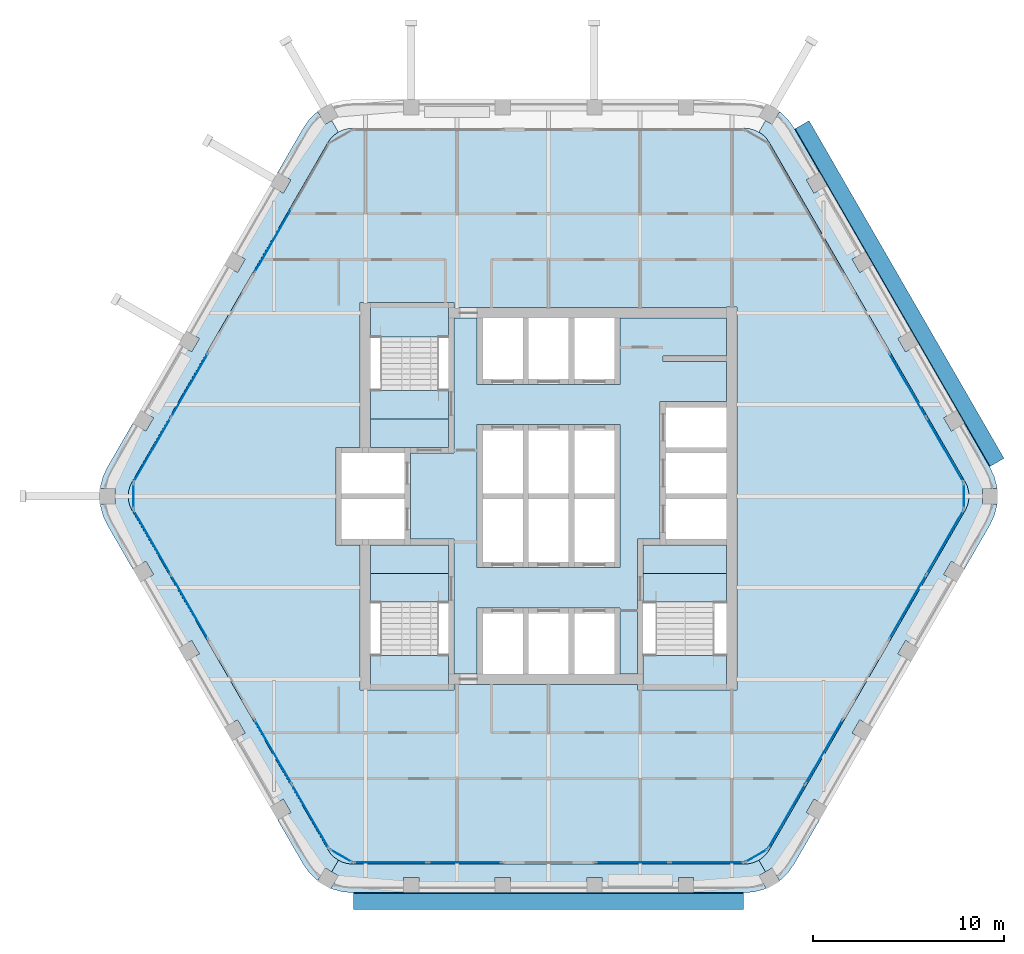
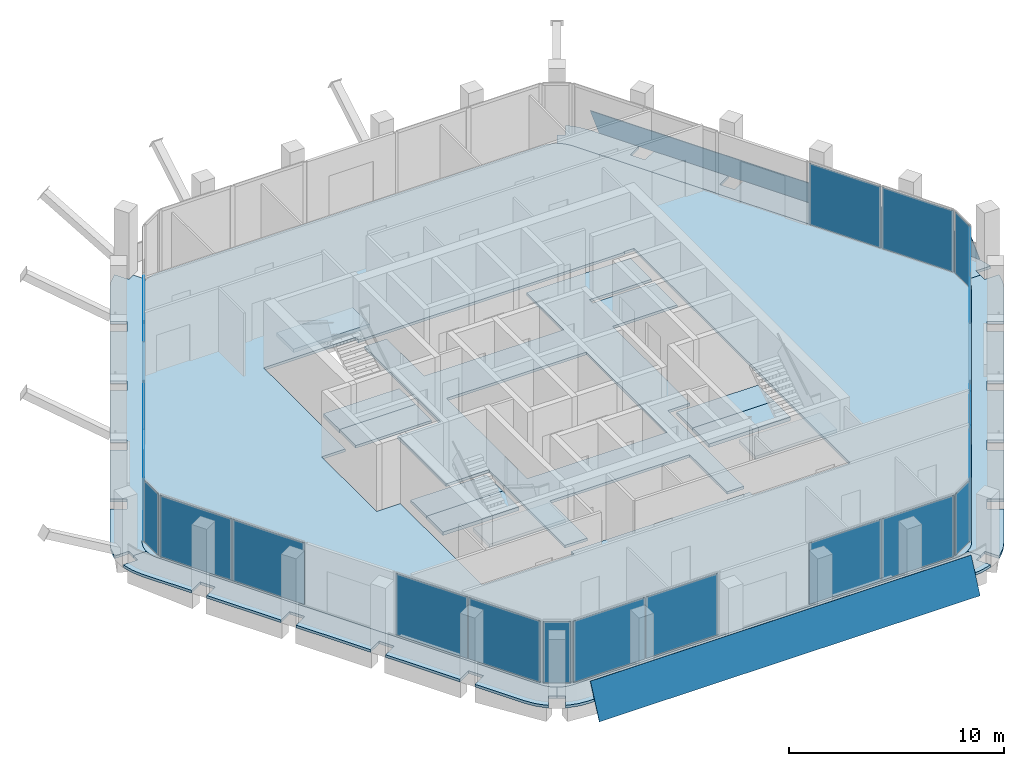
# One storey, part 6 of 14: 23 plates, 16 slabs, 16 elements without a shape of their own.
"""IFC4 building model written with IfcOpenShell, lengths in metres."""

import ifcopenshell
import ifcopenshell.guid

model = None  # the IFC model being written
_history = None  # IfcOwnerHistory: only IFC2X3 demands one
_inside = {}  # id of a spatial element -> (the spatial element, [elements in it])
_under = {}  # id of a project, library or spatial element -> (it, [spatial elements below it])
_declared = {}  # id of a project -> (the project, [libraries it declares])
_typed = {}  # id of a type object -> (the type object, [elements of that type])
_made_of = {}  # id of a material, layer set ... -> (it, [elements and type objects made of it])


def new_model(schema):
    """Start an empty IFC model of exactly this schema.

    Asked for "IFC4X3", IfcOpenShell would pick the latest addendum, in which some entities
    have other attributes; the version numbers below select the first issue.
    IFC2X3 requires an IfcOwnerHistory on every rooted entity: one is made here for all.
    """
    global model, _history
    if schema == "IFC4X3":
        model = ifcopenshell.file(schema_version=(4, 3, 0, 0))
    else:
        model = ifcopenshell.file(schema=schema)
    _inside.clear()
    _under.clear()
    _declared.clear()
    _typed.clear()
    _made_of.clear()
    _history = None
    if model.schema == "IFC2X3":
        org = make("IfcOrganization", Name="unknown")
        user = make(
            "IfcPersonAndOrganization",
            ThePerson=make("IfcPerson", FamilyName="unknown"),
            TheOrganization=org,
        )
        app = make(
            "IfcApplication",
            ApplicationDeveloper=org,
            Version="unknown",
            ApplicationFullName="unknown",
            ApplicationIdentifier="unknown",
        )
        _history = make(
            "IfcOwnerHistory",
            OwningUser=user,
            OwningApplication=app,
            ChangeAction="ADDED",
            CreationDate=0,
        )
    return model


def make(cls, **values):
    """One entity of the class cls with the attributes given. An attribute that is None is left unset."""
    return model.create_entity(
        cls, **{name: value for name, value in values.items() if value is not None}
    )


def rooted(cls, **values):
    """An entity with a GlobalId (a new one), such as an element, a storey or a relation."""
    return make(cls, GlobalId=ifcopenshell.guid.new(), OwnerHistory=_history, **values)


def si_unit(unit_type, name, prefix=None):
    """IfcSIUnit, for example si_unit("LENGTHUNIT", "METRE", prefix="MILLI")."""
    return make("IfcSIUnit", UnitType=unit_type, Prefix=prefix, Name=name)


def assignment(units):
    """IfcUnitAssignment: the units of a project."""
    return None if units is None else make("IfcUnitAssignment", Units=units)


def point(xyz):
    """IfcCartesianPoint."""
    return None if xyz is None else make("IfcCartesianPoint", Coordinates=xyz)


def direction(xyz):
    """IfcDirection."""
    return None if xyz is None else make("IfcDirection", DirectionRatios=xyz)


def frame(location, z_axis=None, x_axis=None):
    """IfcAxis2Placement3D, a coordinate frame: its origin and axes. An axis left out is left unset."""
    return make(
        "IfcAxis2Placement3D",
        Location=point(location),
        Axis=direction(z_axis),
        RefDirection=direction(x_axis),
    )


def frame_2d(location, x_axis=None):
    """IfcAxis2Placement2D, a coordinate frame in the plane: its origin and x axis."""
    return make(
        "IfcAxis2Placement2D", Location=point(location), RefDirection=direction(x_axis)
    )


def origin():
    """The frame at (0, 0, 0) with its axes left unset."""
    return frame((0.0, 0.0, 0.0))


def origin_2d():
    """The frame at (0, 0) in the plane with its x axis left unset."""
    return frame_2d((0.0, 0.0))


def place(relative_to, where):
    """IfcLocalPlacement: puts the frame where relative to a parent placement (None: the world)."""
    return make(
        "IfcLocalPlacement", PlacementRelTo=relative_to, RelativePlacement=where
    )


def context(
    kind, dimensions, precision=None, world=None, true_north=None, identifier=None
):
    """IfcGeometricRepresentationContext, for example the 3D "Model" context."""
    return make(
        "IfcGeometricRepresentationContext",
        ContextIdentifier=identifier,
        ContextType=kind,
        CoordinateSpaceDimension=dimensions,
        Precision=precision,
        WorldCoordinateSystem=world,
        TrueNorth=true_north,
    )


def subcontext(parent, identifier, kind, view, scale=None):
    """IfcGeometricRepresentationSubContext, for example "Body" below "Model"."""
    return make(
        "IfcGeometricRepresentationSubContext",
        ContextIdentifier=identifier,
        ContextType=kind,
        ParentContext=parent,
        TargetScale=scale,
        TargetView=view,
    )


def project(units=None, contexts=None):
    """IfcProject with its units and contexts."""
    return rooted(
        "IfcProject",
        Name="project",
        RepresentationContexts=contexts,
        UnitsInContext=assignment(units),
    )


def spatial(cls, under=None, at=None, **own):
    """A site, building, storey or space (cls), placed at a placement, below another one or the project."""
    s = rooted(cls, ObjectPlacement=at, **own)
    if under is not None:
        _under.setdefault(under.id(), (under, []))[1].append(s)
    return s


def polyline(points):
    """IfcPolyline through the points."""
    return make("IfcPolyline", Points=[point(p) for p in points])


def profile(cls, at=None, kind="AREA", **sizes):
    """A parametric profile (cls). Its sizes go by their IFC names, for example OverallWidth=200.0."""
    return make(cls, ProfileType=kind, Position=at, **sizes)


def rectangle(**sizes):
    """IfcRectangleProfileDef."""
    return profile("IfcRectangleProfileDef", **sizes)


def outline(outer, holes=None, kind="AREA"):
    """IfcArbitraryClosedProfileDef: a profile drawn as a closed curve; with holes, ...WithVoids."""
    if holes is None:
        return make("IfcArbitraryClosedProfileDef", ProfileType=kind, OuterCurve=outer)
    return make(
        "IfcArbitraryProfileDefWithVoids",
        ProfileType=kind,
        OuterCurve=outer,
        InnerCurves=holes,
    )


def extrude(swept, where, along, depth):
    """IfcExtrudedAreaSolid: the profile swept, set in the frame where, extruded along a direction by depth."""
    return make(
        "IfcExtrudedAreaSolid",
        SweptArea=swept,
        Position=where,
        ExtrudedDirection=direction(along),
        Depth=depth,
    )


def shape(context_of_items, identifier, shape_type, items):
    """IfcShapeRepresentation: the items that make up one representation, for example the "Body"."""
    return make(
        "IfcShapeRepresentation",
        ContextOfItems=context_of_items,
        RepresentationIdentifier=identifier,
        RepresentationType=shape_type,
        Items=items,
    )


def material(Name=None, Category=None):
    """IfcMaterial."""
    return make("IfcMaterial", Name=Name, Category=Category)


def layer(
    of_material, thickness, ventilated=None, Name=None, Category=None, Priority=None
):
    """IfcMaterialLayer: one layer of a wall or slab, of a material (None: an air gap)."""
    return make(
        "IfcMaterialLayer",
        Material=of_material,
        LayerThickness=thickness,
        IsVentilated=ventilated,
        Name=Name,
        Category=Category,
        Priority=Priority,
    )


def layer_set(layers, Name=None):
    """IfcMaterialLayerSet."""
    return make("IfcMaterialLayerSet", MaterialLayers=layers, LayerSetName=Name)


def made_of(thing, what):
    """Note that an element or type object is made of a material, layer set ...; save() writes the relation."""
    if what is not None:
        _made_of.setdefault(what.id(), (what, []))[1].append(thing)
    return thing


def type_object(cls, material=None, **own):
    """A type object (cls), such as IfcWallType, which elements share."""
    return made_of(rooted(cls, **own), material)


def element(
    cls,
    number,
    at=None,
    inside=None,
    cuts=None,
    type_object=None,
    material=None,
    context=None,
    identifier="Body",
    shape_type=None,
    held_by="IfcProductDefinitionShape",
    body=None,
    shapes=None,
    **own,
):
    """One element of the class cls, such as IfcWall. Its Tag is "e" and its number.

    at: its placement. inside: the storey or other place that contains it. cuts: it is an
    opening in that element (IfcRelVoidsElement). A single representation is given by context,
    identifier, shape_type and body (its items); several are given by shapes. held_by: the class
    of the entity that holds the representations. save() writes the other relations.
    """
    e = rooted(cls, Tag="e%d" % number, ObjectPlacement=at, **own)
    if body is not None:
        shapes = [shape(context, identifier, shape_type, body)]
    if shapes is not None:
        e.Representation = make(held_by, Representations=shapes)
    if inside is not None:
        _inside.setdefault(inside.id(), (inside, []))[1].append(e)
    if cuts is not None:
        rooted(
            "IfcRelVoidsElement", RelatingBuildingElement=cuts, RelatedOpeningElement=e
        )
    if type_object is not None:
        _typed.setdefault(type_object.id(), (type_object, []))[1].append(e)
    return made_of(e, material)


def aggregate(whole, parts):
    """IfcRelAggregates: a whole, such as a stair, and the parts it consists of."""
    return rooted("IfcRelAggregates", RelatingObject=whole, RelatedObjects=parts)


def save(model, path):
    """Write the relations noted so far, then the file.

    IfcRelAggregates (storeys below a building ...), IfcRelContainedInSpatialStructure (elements
    in a storey), IfcRelDefinesByType, IfcRelAssociatesMaterial and IfcRelDeclares: one each for
    every whole, place, type object, material and project.
    """
    for whole, parts in _under.values():
        aggregate(whole, parts)
    for where, things in _inside.values():
        rooted(
            "IfcRelContainedInSpatialStructure",
            RelatedElements=things,
            RelatingStructure=where,
        )
    for kind, things in _typed.values():
        rooted("IfcRelDefinesByType", RelatedObjects=things, RelatingType=kind)
    for what, things in _made_of.values():
        rooted("IfcRelAssociatesMaterial", RelatedObjects=things, RelatingMaterial=what)
    for by, libraries in _declared.values():
        rooted("IfcRelDeclares", RelatingContext=by, RelatedDefinitions=libraries)
    model.write(path)


model = new_model("IFC4")

# Units and contexts
model_context = context("Model", 3, precision=1e-05, world=origin(), true_north=direction((0.0, 1.0)))
body_context = subcontext(model_context, "Body", "Model", "MODEL_VIEW")
ifc_project = project(units=[si_unit("LENGTHUNIT", "METRE"), si_unit("AREAUNIT", "SQUARE_METRE"), si_unit("VOLUMEUNIT", "CUBIC_METRE"), si_unit("PLANEANGLEUNIT", "RADIAN"), si_unit("MASSUNIT", "GRAM", prefix="KILO")], contexts=[model_context])

# Site, building, storey
site_placement = place(None, origin())
site = spatial("IfcSite", under=ifc_project, at=site_placement, CompositionType="ELEMENT")
building_placement = place(site_placement, origin())
building = spatial("IfcBuilding", under=site, at=building_placement, Name="Kolab Exchange Tower", CompositionType="ELEMENT")
storey_placement = place(building_placement, frame((0.0, 0.0, 250.10009765625)))
storey = spatial("IfcBuildingStorey", under=building, at=storey_placement, Name="L55", CompositionType="ELEMENT", Elevation=250.10009765625)

# Slabs
ifc_material_1 = material(Name="Concrete C35/45", Category="concrete")
ifc_layer_1 = layer(ifc_material_1, 0.14990234375)
ifc_layer_set_1 = layer_set([ifc_layer_1], Name="Concrete C35/45")
slab_type_1 = type_object("IfcSlabType", Name="FLOOR SLAB 150", PredefinedType="FLOOR", material=ifc_layer_set_1)
slab_1_placement = place(storey_placement, frame((0.0, 0.0, -0.150146484375)))
element("IfcSlab", 1, at=slab_1_placement, inside=storey, type_object=slab_type_1, Name="slab/L55/floor/0", PredefinedType="FLOOR", context=body_context, shape_type="SweptSolid", body=[
    extrude(outline(polyline([(11.56689453125, -18.53466796875), (21.8349609375, -0.75), (21.945556640625, -0.512939453125), (22.01318359375, -0.260498046875), (22.035888671875, 0.0), (22.01318359375, 0.260498046875), (21.945556640625, 0.512939453125), (21.8349609375, 0.75), (11.56689453125, 18.53466796875), (11.4169921875, 18.748779296875), (11.232177734375, 18.93359375), (11.01806640625, 19.083740234375), (10.781005859375, 19.194091796875), (10.5283203125, 19.26171875), (10.26806640625, 19.28466796875), (-10.26806640625, 19.28466796875), (-10.5283203125, 19.26171875), (-10.781005859375, 19.194091796875), (-11.01806640625, 19.083740234375), (-11.232177734375, 18.93359375), (-11.4169921875, 18.748779296875), (-11.56689453125, 18.53466796875), (-21.8349609375, 0.75), (-21.945556640625, 0.512939453125), (-22.01318359375, 0.260498046875), (-22.035888671875, 0.0), (-22.01318359375, -0.260498046875), (-21.945556640625, -0.512939453125), (-21.8349609375, -0.75), (-11.56689453125, -18.53466796875), (-11.4169921875, -18.748779296875), (-11.232177734375, -18.93359375), (-11.01806640625, -19.083740234375), (-10.781005859375, -19.194091796875), (-10.5283203125, -19.26171875), (-10.26806640625, -19.28466796875), (10.26806640625, -19.28466796875), (10.5283203125, -19.26171875), (10.781005859375, -19.194091796875), (11.01806640625, -19.083740234375), (11.232177734375, -18.93359375), (11.4169921875, -18.748779296875), (11.56689453125, -18.53466796875)]), holes=[polyline([(-9.324951171875, -10.14990234375), (-9.875, -10.14990234375), (-9.875, -2.550048828125), (-10.85009765625, -2.550048828125), (-11.14990234375, -2.550048828125), (-11.14990234375, 2.550048828125), (-10.85009765625, 2.550048828125), (-9.875, 2.550048828125), (-9.875, 10.14990234375), (-9.324951171875, 10.14990234375), (-5.25, 10.14990234375), (-4.949951171875, 10.14990234375), (-4.949951171875, 9.875), (9.324951171875, 9.875), (9.324951171875, 9.925048828125), (9.875, 9.925048828125), (9.875, -10.14990234375), (9.324951171875, -10.14990234375), (4.949951171875, -10.14990234375), (4.64990234375, -10.14990234375), (4.64990234375, -9.875), (-4.949951171875, -9.875), (-4.949951171875, -10.14990234375), (-5.25, -10.14990234375), (-9.324951171875, -10.14990234375)])]), origin(), (0.0, 0.0, 1.0), 0.150146484375),
])
slab_2_placement = place(storey_placement, frame((0.0, 0.0, -0.150146484375)))
element("IfcSlab", 2, at=slab_2_placement, inside=storey, type_object=slab_type_1, Name="slab/L55/floor/1", PredefinedType="FLOOR", context=body_context, shape_type="SweptSolid", body=[
    extrude(outline(polyline([(-4.949951171875, 9.324951171875), (-4.949951171875, 2.25), (-5.25, 2.25), (-7.25, 2.25), (-7.25, -2.25), (-5.25, -2.25), (-4.949951171875, -2.25), (-4.949951171875, -9.324951171875), (-3.75, -9.324951171875), (-3.75, -5.85009765625), (-3.449951171875, -5.85009765625), (-1.35009765625, -5.85009765625), (-1.050048828125, -5.85009765625), (1.050048828125, -5.85009765625), (1.35009765625, -5.85009765625), (3.449951171875, -5.85009765625), (3.75, -5.85009765625), (3.75, -9.324951171875), (4.64990234375, -9.324951171875), (4.64990234375, -2.25), (4.949951171875, -2.25), (5.85009765625, -2.25), (5.85009765625, 4.949951171875), (6.14990234375, 4.949951171875), (9.324951171875, 4.949951171875), (9.324951171875, 7.050048828125), (6.0, 7.050048828125), (6.0, 7.35009765625), (9.324951171875, 7.35009765625), (9.324951171875, 9.324951171875), (3.75, 9.324951171875), (3.75, 5.85009765625), (3.449951171875, 5.85009765625), (1.35009765625, 5.85009765625), (1.050048828125, 5.85009765625), (-1.050048828125, 5.85009765625), (-1.35009765625, 5.85009765625), (-3.449951171875, 5.85009765625), (-3.75, 5.85009765625), (-3.75, 9.324951171875), (-4.949951171875, 9.324951171875)]), holes=[polyline([(-3.449951171875, -3.75), (-3.75, -3.75), (-3.75, 3.75), (-3.449951171875, 3.75), (-1.35009765625, 3.75), (-1.050048828125, 3.75), (1.050048828125, 3.75), (1.35009765625, 3.75), (3.449951171875, 3.75), (3.75, 3.75), (3.75, -3.75), (3.449951171875, -3.75), (1.35009765625, -3.75), (1.050048828125, -3.75), (-1.050048828125, -3.75), (-1.35009765625, -3.75), (-3.449951171875, -3.75)])]), origin(), (0.0, 0.0, 1.0), 0.150146484375),
])
slab_3_placement = place(storey_placement, frame((0.0, 0.0, -0.150146484375)))
element("IfcSlab", 3, at=slab_3_placement, inside=storey, type_object=slab_type_1, Name="slab/L55/floor/2", PredefinedType="FLOOR", context=body_context, shape_type="SweptSolid", body=[
    extrude(outline(polyline([(4.949951171875, -2.550048828125), (4.949951171875, -4.050048828125), (9.324951171875, -4.050048828125), (9.324951171875, -2.550048828125), (6.14990234375, -2.550048828125), (5.85009765625, -2.550048828125), (4.949951171875, -2.550048828125)])), origin(), (0.0, 0.0, 1.0), 0.150146484375),
])
slab_4_placement = place(storey_placement, frame((0.0, 0.0, -0.150146484375)))
element("IfcSlab", 4, at=slab_4_placement, inside=storey, type_object=slab_type_1, Name="slab/L55/floor/3", PredefinedType="FLOOR", context=body_context, shape_type="SweptSolid", body=[
    extrude(outline(polyline([(-7.550048828125, -2.550048828125), (-9.324951171875, -2.550048828125), (-9.324951171875, -4.050048828125), (-5.25, -4.050048828125), (-5.25, -2.550048828125), (-7.25, -2.550048828125), (-7.550048828125, -2.550048828125)])), origin(), (0.0, 0.0, 1.0), 0.150146484375),
])
slab_5_placement = place(storey_placement, frame((0.0, 0.0, -0.150146484375)))
element("IfcSlab", 5, at=slab_5_placement, inside=storey, type_object=slab_type_1, Name="slab/L55/floor/4", PredefinedType="FLOOR", context=body_context, shape_type="SweptSolid", body=[
    extrude(outline(polyline([(-9.324951171875, 4.050048828125), (-9.324951171875, 2.550048828125), (-7.550048828125, 2.550048828125), (-7.25, 2.550048828125), (-5.25, 2.550048828125), (-5.25, 4.050048828125), (-9.324951171875, 4.050048828125)])), origin(), (0.0, 0.0, 1.0), 0.150146484375),
])
ifc_layer_2 = layer(ifc_material_1, 0.14990234375)
ifc_layer_set_2 = layer_set([ifc_layer_2], Name="Concrete C35/45")
slab_type_2 = type_object("IfcSlabType", Name="LOGGIA SLAB 150", PredefinedType="FLOOR", material=ifc_layer_set_2)
slab_6_placement = place(storey_placement, frame((0.0, 0.0, -0.150146484375)))
element("IfcSlab", 6, at=slab_6_placement, inside=storey, type_object=slab_type_2, Name="slab/L55/loggia/1-0", PredefinedType="FLOOR", context=body_context, shape_type="SweptSolid", body=[
    extrude(outline(polyline([(22.035888671875, 0.0), (22.73583984375, 0.0), (22.73583984375, 0.39990234375), (23.5009765625, 0.39990234375), (23.490234375, 0.52099609375), (23.35498046875, 1.026123046875), (23.134033203125, 1.5), (21.800048828125, 3.810546875), (21.107177734375, 3.410400390625), (20.707275390625, 4.103271484375), (21.39990234375, 4.50341796875), (19.39990234375, 7.967529296875), (18.707275390625, 7.5673828125), (18.30712890625, 8.26025390625), (19.0, 8.66015625), (17.0, 12.124267578125), (16.30712890625, 11.724365234375), (15.9072265625, 12.417236328125), (16.60009765625, 12.817138671875), (14.60009765625, 16.28125), (13.9072265625, 15.88134765625), (13.507080078125, 16.57421875), (14.199951171875, 16.97412109375), (12.865966796875, 19.28466796875), (12.566162109375, 19.712890625), (12.1962890625, 20.082763671875), (12.096923828125, 20.15234375), (11.71435546875, 19.48974609375), (11.367919921875, 19.68994140625), (11.01806640625, 19.083740234375), (11.232177734375, 18.93359375), (11.4169921875, 18.748779296875), (11.56689453125, 18.53466796875), (21.8349609375, 0.75), (21.945556640625, 0.512939453125), (22.01318359375, 0.260498046875), (22.035888671875, 0.0)])), origin(), (0.0, 0.0, 1.0), 0.150146484375),
])
slab_7_placement = place(storey_placement, frame((0.0, 0.0, -0.150146484375)))
element("IfcSlab", 7, at=slab_7_placement, inside=storey, type_object=slab_type_2, Name="slab/L55/loggia/2-0", PredefinedType="FLOOR", context=body_context, shape_type="SweptSolid", body=[
    extrude(outline(polyline([(12.865966796875, -19.28466796875), (14.199951171875, -16.97412109375), (13.507080078125, -16.57421875), (13.9072265625, -15.88134765625), (14.60009765625, -16.28125), (16.60009765625, -12.817138671875), (15.9072265625, -12.417236328125), (16.30712890625, -11.724365234375), (17.0, -12.124267578125), (19.0, -8.66015625), (18.30712890625, -8.26025390625), (18.707275390625, -7.5673828125), (19.39990234375, -7.967529296875), (21.39990234375, -4.50341796875), (20.707275390625, -4.103271484375), (21.107177734375, -3.410400390625), (21.800048828125, -3.810546875), (23.134033203125, -1.5), (23.35498046875, -1.026123046875), (23.490234375, -0.52099609375), (23.5009765625, -0.39990234375), (22.73583984375, -0.39990234375), (22.73583984375, 0.0), (22.035888671875, 0.0), (22.01318359375, -0.260498046875), (21.945556640625, -0.512939453125), (21.8349609375, -0.75), (11.56689453125, -18.53466796875), (11.4169921875, -18.748779296875), (11.232177734375, -18.93359375), (11.01806640625, -19.083740234375), (11.367919921875, -19.68994140625), (11.71435546875, -19.48974609375), (12.096923828125, -20.15234375), (12.1962890625, -20.082763671875), (12.566162109375, -19.712890625), (12.865966796875, -19.28466796875)])), origin(), (0.0, 0.0, 1.0), 0.150146484375),
])
slab_8_placement = place(storey_placement, frame((0.0, 0.0, -0.150146484375)))
element("IfcSlab", 8, at=slab_8_placement, inside=storey, type_object=slab_type_2, Name="slab/L55/loggia/3-0", PredefinedType="FLOOR", context=body_context, shape_type="SweptSolid", body=[
    extrude(outline(polyline([(-11.01806640625, -19.083740234375), (-11.367919921875, -19.68994140625), (-11.021484375, -19.889892578125), (-11.404052734375, -20.552490234375), (-11.2939453125, -20.603759765625), (-10.788818359375, -20.739013671875), (-10.26806640625, -20.78466796875), (-7.60009765625, -20.78466796875), (-7.60009765625, -19.984619140625), (-6.800048828125, -19.984619140625), (-6.800048828125, -20.78466796875), (-2.800048828125, -20.78466796875), (-2.800048828125, -19.984619140625), (-2.0, -19.984619140625), (-2.0, -20.78466796875), (2.0, -20.78466796875), (2.0, -19.984619140625), (2.800048828125, -19.984619140625), (2.800048828125, -20.78466796875), (6.800048828125, -20.78466796875), (6.800048828125, -19.984619140625), (7.60009765625, -19.984619140625), (7.60009765625, -20.78466796875), (10.26806640625, -20.78466796875), (10.788818359375, -20.739013671875), (11.2939453125, -20.603759765625), (11.404052734375, -20.552490234375), (11.021484375, -19.889892578125), (11.367919921875, -19.68994140625), (11.01806640625, -19.083740234375), (10.781005859375, -19.194091796875), (10.5283203125, -19.26171875), (10.26806640625, -19.28466796875), (-10.26806640625, -19.28466796875), (-10.5283203125, -19.26171875), (-10.781005859375, -19.194091796875), (-11.01806640625, -19.083740234375)])), origin(), (0.0, 0.0, 1.0), 0.150146484375),
])
slab_9_placement = place(storey_placement, frame((0.0, 0.0, -0.150146484375)))
element("IfcSlab", 9, at=slab_9_placement, inside=storey, type_object=slab_type_2, Name="slab/L55/loggia/4-0", PredefinedType="FLOOR", context=body_context, shape_type="SweptSolid", body=[
    extrude(outline(polyline([(-22.035888671875, 0.0), (-22.73583984375, 0.0), (-22.73583984375, -0.39990234375), (-23.5009765625, -0.39990234375), (-23.490234375, -0.52099609375), (-23.35498046875, -1.026123046875), (-23.134033203125, -1.5), (-21.800048828125, -3.810546875), (-21.107177734375, -3.410400390625), (-20.707275390625, -4.103271484375), (-21.39990234375, -4.50341796875), (-19.39990234375, -7.967529296875), (-18.707275390625, -7.5673828125), (-18.30712890625, -8.26025390625), (-19.0, -8.66015625), (-17.0, -12.124267578125), (-16.30712890625, -11.724365234375), (-15.9072265625, -12.417236328125), (-16.60009765625, -12.817138671875), (-14.60009765625, -16.28125), (-13.9072265625, -15.88134765625), (-13.507080078125, -16.57421875), (-14.199951171875, -16.97412109375), (-12.865966796875, -19.28466796875), (-12.566162109375, -19.712890625), (-12.1962890625, -20.082763671875), (-12.096923828125, -20.15234375), (-11.71435546875, -19.48974609375), (-11.367919921875, -19.68994140625), (-11.01806640625, -19.083740234375), (-11.232177734375, -18.93359375), (-11.4169921875, -18.748779296875), (-11.56689453125, -18.53466796875), (-21.8349609375, -0.75), (-21.945556640625, -0.512939453125), (-22.01318359375, -0.260498046875), (-22.035888671875, 0.0)])), origin(), (0.0, 0.0, 1.0), 0.150146484375),
])
slab_10_placement = place(storey_placement, frame((0.0, 0.0, -0.150146484375)))
element("IfcSlab", 10, at=slab_10_placement, inside=storey, type_object=slab_type_2, Name="slab/L55/loggia/5-0", PredefinedType="FLOOR", context=body_context, shape_type="SweptSolid", body=[
    extrude(outline(polyline([(-11.01806640625, 19.083740234375), (-11.367919921875, 19.68994140625), (-11.71435546875, 19.48974609375), (-12.096923828125, 20.15234375), (-12.1962890625, 20.082763671875), (-12.566162109375, 19.712890625), (-12.865966796875, 19.28466796875), (-14.199951171875, 16.97412109375), (-13.507080078125, 16.57421875), (-13.9072265625, 15.88134765625), (-14.60009765625, 16.28125), (-16.60009765625, 12.817138671875), (-15.9072265625, 12.417236328125), (-16.30712890625, 11.724365234375), (-17.0, 12.124267578125), (-19.0, 8.66015625), (-18.30712890625, 8.26025390625), (-18.707275390625, 7.5673828125), (-19.39990234375, 7.967529296875), (-21.39990234375, 4.50341796875), (-20.707275390625, 4.103271484375), (-21.107177734375, 3.410400390625), (-21.800048828125, 3.810546875), (-23.134033203125, 1.5), (-23.35498046875, 1.026123046875), (-23.490234375, 0.52099609375), (-23.5009765625, 0.39990234375), (-22.73583984375, 0.39990234375), (-22.73583984375, 0.0), (-22.035888671875, 0.0), (-22.01318359375, 0.260498046875), (-21.945556640625, 0.512939453125), (-21.8349609375, 0.75), (-11.56689453125, 18.53466796875), (-11.4169921875, 18.748779296875), (-11.232177734375, 18.93359375), (-11.01806640625, 19.083740234375)])), origin(), (0.0, 0.0, 1.0), 0.150146484375),
])

# Plates
ifc_material_2 = material(Name="Laminated glass, clear", Category="glass")
ifc_layer_3 = layer(ifc_material_2, 0.0400390625)
ifc_layer_set_3 = layer_set([ifc_layer_3], Name="Laminated glass, clear")
plate_type_1 = type_object("IfcPlateType", Name="OUTER SKIN LAMINATED GLASS SHEET 40", PredefinedType="SHEET", material=ifc_layer_set_3)
plate_1_placement = place(storey_placement, frame((13.6494140625, 19.67919921875, -0.68310546875), z_axis=(0.784867306279, 0.453141202853, 0.42266578027), x_axis=(0.499997422316, -0.866026892004, 1.98158e-06)))
element("IfcPlate", 11, at=plate_1_placement, inside=storey, type_object=plate_type_1, Name="Outer skin", PredefinedType="SHEET", context=body_context, shape_type="SweptSolid", body=[
    extrude(outline(polyline([(0.0, 0.0), (20.435802623779974, 0.0), (20.435856947346743, -1.9858686247089181), (-6.774611641384307e-05, -1.9859579901459246), (0.0, 0.0)])), origin(), (0.0, 0.0, -1.0), 0.0400390625),
])
plate_2_placement = place(storey_placement, frame((10.218017578125, -21.66015625, -0.68310546875), z_axis=(0.0, -0.906289895601, 0.422656627927), x_axis=(-1.0, 0.0, 0.0)))
element("IfcPlate", 12, at=plate_2_placement, inside=storey, type_object=plate_type_1, Name="Outer skin", PredefinedType="SHEET", context=body_context, shape_type="SweptSolid", body=[
    extrude(outline(polyline([(0.0, 0.0), (20.43603515625, 0.0), (20.43603515625, -1.9859039543914263), (0.0, -1.9859039543914263), (0.0, 0.0)])), origin(), (0.0, 0.0, -1.0), 0.0400390625),
])

# Stair, slabs
ifc_material_3 = material(Name="Concrete C50/60", Category="concrete")
stair_type_1 = type_object("IfcStairType", Name="STAIR ST1 RISER 177.3", PredefinedType="HALF_TURN_STAIR", material=ifc_material_3)
stair_1_placement = place(storey_placement, origin())
stair_1 = element("IfcStair", 13, at=stair_1_placement, inside=storey, type_object=stair_type_1, Name="Stair 1", PredefinedType="HALF_TURN_STAIR")
ifc_layer_4 = layer(ifc_material_3, 0.199951171875)
ifc_layer_set_4 = layer_set([ifc_layer_4], Name="Concrete C50/60")
slab_type_3 = type_object("IfcSlabType", Name="STAIR LANDING 200", PredefinedType="LANDING", material=ifc_layer_set_4)
slab_11_placement = place(storey_placement, frame((0.0, 0.0, -0.2001953125)))
slab_11 = element("IfcSlab", 14, at=slab_11_placement, type_object=slab_type_3, Name="ST1 landing 1", PredefinedType="LANDING", context=body_context, shape_type="SweptSolid", body=[
    extrude(outline(polyline([(-9.324951171875, 4.050048828125), (-5.25, 4.050048828125), (-5.25, 5.550048828125), (-9.324951171875, 5.550048828125), (-9.324951171875, 4.050048828125)])), origin(), (0.0, 0.0, 1.0), 0.2001953125),
])
slab_12_placement = place(storey_placement, frame((0.0, 0.0, 1.75)))
slab_12 = element("IfcSlab", 15, at=slab_12_placement, type_object=slab_type_3, Name="ST1 landing 2", PredefinedType="LANDING", context=body_context, shape_type="SweptSolid", body=[
    extrude(outline(polyline([(-9.324951171875, 8.35009765625), (-5.25, 8.35009765625), (-5.25, 9.909912109375), (-9.324951171875, 9.909912109375), (-9.324951171875, 8.35009765625)])), origin(), (0.0, 0.0, 1.0), 0.199951171875),
])
aggregate(stair_1, [slab_11, slab_12])

stair_type_2 = type_object("IfcStairType", Name="STAIR ST3 RISER 177.3", PredefinedType="HALF_TURN_STAIR", material=ifc_material_3)
stair_2_placement = place(storey_placement, origin())
stair_2 = element("IfcStair", 16, at=stair_2_placement, inside=storey, type_object=stair_type_2, Name="Stair 3", PredefinedType="HALF_TURN_STAIR")
slab_13_placement = place(storey_placement, frame((0.0, 0.0, -0.2001953125)))
slab_13 = element("IfcSlab", 17, at=slab_13_placement, type_object=slab_type_3, Name="ST3 landing 1", PredefinedType="LANDING", context=body_context, shape_type="SweptSolid", body=[
    extrude(outline(polyline([(-9.324951171875, -5.550048828125), (-5.25, -5.550048828125), (-5.25, -4.050048828125), (-9.324951171875, -4.050048828125), (-9.324951171875, -5.550048828125)])), origin(), (0.0, 0.0, 1.0), 0.2001953125),
])
slab_14_placement = place(storey_placement, frame((0.0, 0.0, 1.75)))
slab_14 = element("IfcSlab", 18, at=slab_14_placement, type_object=slab_type_3, Name="ST3 landing 2", PredefinedType="LANDING", context=body_context, shape_type="SweptSolid", body=[
    extrude(outline(polyline([(-9.324951171875, -9.909912109375), (-5.25, -9.909912109375), (-5.25, -8.35009765625), (-9.324951171875, -8.35009765625), (-9.324951171875, -9.909912109375)])), origin(), (0.0, 0.0, 1.0), 0.199951171875),
])
aggregate(stair_2, [slab_13, slab_14])

stair_type_3 = type_object("IfcStairType", Name="STAIR ST2 RISER 177.3", PredefinedType="HALF_TURN_STAIR", material=ifc_material_3)
stair_3_placement = place(storey_placement, origin())
stair_3 = element("IfcStair", 19, at=stair_3_placement, inside=storey, type_object=stair_type_3, Name="Stair 2", PredefinedType="HALF_TURN_STAIR")
slab_15_placement = place(storey_placement, frame((0.0, 0.0, -0.2001953125)))
slab_15 = element("IfcSlab", 20, at=slab_15_placement, type_object=slab_type_3, Name="ST2 landing 1", PredefinedType="LANDING", context=body_context, shape_type="SweptSolid", body=[
    extrude(outline(polyline([(4.949951171875, -5.550048828125), (9.324951171875, -5.550048828125), (9.324951171875, -4.050048828125), (4.949951171875, -4.050048828125), (4.949951171875, -5.550048828125)])), origin(), (0.0, 0.0, 1.0), 0.2001953125),
])
slab_16_placement = place(storey_placement, frame((0.0, 0.0, 1.75)))
slab_16 = element("IfcSlab", 21, at=slab_16_placement, type_object=slab_type_3, Name="ST2 landing 2", PredefinedType="LANDING", context=body_context, shape_type="SweptSolid", body=[
    extrude(outline(polyline([(4.949951171875, -9.909912109375), (9.324951171875, -9.909912109375), (9.324951171875, -8.35009765625), (4.949951171875, -8.35009765625), (4.949951171875, -9.909912109375)])), origin(), (0.0, 0.0, 1.0), 0.199951171875),
])
aggregate(stair_3, [slab_15, slab_16])

# Curtain wall, plates
ifc_material_4 = material(Name="Aluminium EN AW-6063 T6", Category="aluminium")
curtain_wall_type = type_object("IfcCurtainWallType", Name="UNITISED HIGH ZONE CURTAIN WALL", PredefinedType="NOTDEFINED", material=ifc_material_4)
curtain_wall_1_placement = place(storey_placement, origin())
curtain_wall_1 = element("IfcCurtainWall", 22, at=curtain_wall_1_placement, inside=storey, type_object=curtain_wall_type, Name="cw/L55/F2-2", PredefinedType="NOTDEFINED")
ifc_material_5 = material(Name="Clear insulated glazing unit", Category="glass")
ifc_layer_5 = layer(ifc_material_5, 0.030029296875)
ifc_layer_set_5 = layer_set([ifc_layer_5], Name="Clear insulated glazing unit")
plate_type_2 = type_object("IfcPlateType", Name="UNITISED HIGH ZONE GLASS PANEL 30", PredefinedType="CURTAIN_PANEL", material=ifc_layer_set_5)
plate_3_placement = place(storey_placement, frame((18.82275390625, 5.807373046875, 0.059814453125), z_axis=(0.0, 0.0, 1.0), x_axis=(0.499999936366, -0.866025440524, 0.0)))
plate_3 = element("IfcPlate", 23, at=plate_3_placement, type_object=plate_type_2, Name="CW4 panel 1.1", PredefinedType="CURTAIN_PANEL", context=body_context, shape_type="SweptSolid", body=[
    extrude(rectangle(XDim=3.843994140625, YDim=0.030029296875, at=origin_2d()), origin(), (0.0, 0.0, 1.0), 3.47998046875),
])
plate_4_placement = place(storey_placement, frame((20.774658203125, 2.426513671875, 0.059814453125), z_axis=(0.0, 0.0, 1.0), x_axis=(0.499999936366, -0.866025440524, 0.0)))
plate_4 = element("IfcPlate", 24, at=plate_4_placement, type_object=plate_type_2, Name="CW4 panel 2.1", PredefinedType="CURTAIN_PANEL", context=body_context, shape_type="SweptSolid", body=[
    extrude(rectangle(XDim=3.843994140625, YDim=0.030029296875, at=origin_2d()), origin(), (0.0, 0.0, 1.0), 3.47998046875),
])
aggregate(curtain_wall_1, [plate_3, plate_4])

curtain_wall_2_placement = place(storey_placement, origin())
curtain_wall_2 = element("IfcCurtainWall", 25, at=curtain_wall_2_placement, inside=storey, type_object=curtain_wall_type, Name="cw/L55/F3-1", PredefinedType="NOTDEFINED")
plate_5_placement = place(storey_placement, frame((20.774658203125, -2.426513671875, 0.059814453125), z_axis=(0.0, 0.0, 1.0), x_axis=(-0.499999936366, -0.866025440524, 0.0)))
plate_5 = element("IfcPlate", 26, at=plate_5_placement, type_object=plate_type_2, Name="CW4 panel 1.1", PredefinedType="CURTAIN_PANEL", context=body_context, shape_type="SweptSolid", body=[
    extrude(rectangle(XDim=3.843994140625, YDim=0.030029296875, at=origin_2d()), origin(), (0.0, 0.0, 1.0), 3.47998046875),
])
plate_6_placement = place(storey_placement, frame((18.82275390625, -5.807373046875, 0.059814453125), z_axis=(0.0, 0.0, 1.0), x_axis=(-0.499999936366, -0.866025440524, 0.0)))
plate_6 = element("IfcPlate", 27, at=plate_6_placement, type_object=plate_type_2, Name="CW4 panel 2.1", PredefinedType="CURTAIN_PANEL", context=body_context, shape_type="SweptSolid", body=[
    extrude(rectangle(XDim=3.843994140625, YDim=0.030029296875, at=origin_2d()), origin(), (0.0, 0.0, 1.0), 3.47998046875),
])
aggregate(curtain_wall_2, [plate_5, plate_6])

curtain_wall_3_placement = place(storey_placement, origin())
curtain_wall_3 = element("IfcCurtainWall", 28, at=curtain_wall_3_placement, inside=storey, type_object=curtain_wall_type, Name="cw/L55/F3-2", PredefinedType="NOTDEFINED")
plate_7_placement = place(storey_placement, frame((14.440673828125, -13.397216796875, 0.059814453125), z_axis=(0.0, 0.0, 1.0), x_axis=(-0.500000031681, -0.866025385493, 0.0)))
plate_7 = element("IfcPlate", 29, at=plate_7_placement, type_object=plate_type_2, Name="CW4 panel 1.1", PredefinedType="CURTAIN_PANEL", context=body_context, shape_type="SweptSolid", body=[
    extrude(rectangle(XDim=3.843994140625, YDim=0.030029296875, at=origin_2d()), origin(), (0.0, 0.0, 1.0), 3.47998046875),
])
plate_8_placement = place(storey_placement, frame((12.48876953125, -16.778076171875, 0.059814453125), z_axis=(0.0, 0.0, 1.0), x_axis=(-0.500000031681, -0.866025385493, 0.0)))
plate_8 = element("IfcPlate", 30, at=plate_8_placement, type_object=plate_type_2, Name="CW4 panel 2.1", PredefinedType="CURTAIN_PANEL", context=body_context, shape_type="SweptSolid", body=[
    extrude(rectangle(XDim=3.843994140625, YDim=0.030029296875, at=origin_2d()), origin(), (0.0, 0.0, 1.0), 3.47998046875),
])
aggregate(curtain_wall_3, [plate_7, plate_8])

curtain_wall_4_placement = place(storey_placement, origin())
curtain_wall_4 = element("IfcCurtainWall", 31, at=curtain_wall_4_placement, inside=storey, type_object=curtain_wall_type, Name="cw/L55/F4-1", PredefinedType="NOTDEFINED")
plate_9_placement = place(storey_placement, frame((8.285888671875, -19.20458984375, 0.059814453125), z_axis=(0.0, 0.0, 1.0), x_axis=(-1.0, 0.0, 0.0)))
plate_9 = element("IfcPlate", 32, at=plate_9_placement, type_object=plate_type_2, Name="CW4 panel 1.1", PredefinedType="CURTAIN_PANEL", context=body_context, shape_type="SweptSolid", body=[
    extrude(rectangle(XDim=3.843994140625, YDim=0.030029296875, at=origin_2d()), origin(), (0.0, 0.0, 1.0), 3.47998046875),
])
plate_10_placement = place(storey_placement, frame((4.382080078125, -19.20458984375, 0.059814453125), z_axis=(0.0, 0.0, 1.0), x_axis=(-1.0, 0.0, 0.0)))
plate_10 = element("IfcPlate", 33, at=plate_10_placement, type_object=plate_type_2, Name="CW4 panel 2.1", PredefinedType="CURTAIN_PANEL", context=body_context, shape_type="SweptSolid", body=[
    extrude(rectangle(XDim=3.843994140625, YDim=0.030029296875, at=origin_2d()), origin(), (0.0, 0.0, 1.0), 3.47998046875),
])
aggregate(curtain_wall_4, [plate_9, plate_10])

curtain_wall_5_placement = place(storey_placement, origin())
curtain_wall_5 = element("IfcCurtainWall", 34, at=curtain_wall_5_placement, inside=storey, type_object=curtain_wall_type, Name="cw/L55/F4-2", PredefinedType="NOTDEFINED")
plate_11_placement = place(storey_placement, frame((-4.382080078125, -19.20458984375, 0.059814453125), z_axis=(0.0, 0.0, 1.0), x_axis=(-1.0, 0.0, 0.0)))
plate_11 = element("IfcPlate", 35, at=plate_11_placement, type_object=plate_type_2, Name="CW4 panel 1.1", PredefinedType="CURTAIN_PANEL", context=body_context, shape_type="SweptSolid", body=[
    extrude(rectangle(XDim=3.843994140625, YDim=0.030029296875, at=origin_2d()), origin(), (0.0, 0.0, 1.0), 3.47998046875),
])
plate_12_placement = place(storey_placement, frame((-8.285888671875, -19.20458984375, 0.059814453125), z_axis=(0.0, 0.0, 1.0), x_axis=(-1.0, 0.0, 0.0)))
plate_12 = element("IfcPlate", 36, at=plate_12_placement, type_object=plate_type_2, Name="CW4 panel 2.1", PredefinedType="CURTAIN_PANEL", context=body_context, shape_type="SweptSolid", body=[
    extrude(rectangle(XDim=3.843994140625, YDim=0.030029296875, at=origin_2d()), origin(), (0.0, 0.0, 1.0), 3.47998046875),
])
aggregate(curtain_wall_5, [plate_11, plate_12])

curtain_wall_6_placement = place(storey_placement, origin())
curtain_wall_6 = element("IfcCurtainWall", 37, at=curtain_wall_6_placement, inside=storey, type_object=curtain_wall_type, Name="cw/L55/F5-1", PredefinedType="NOTDEFINED")
plate_13_placement = place(storey_placement, frame((-12.48876953125, -16.778076171875, 0.059814453125), z_axis=(0.0, 0.0, 1.0), x_axis=(-0.500000031681, 0.866025385493, 0.0)))
plate_13 = element("IfcPlate", 38, at=plate_13_placement, type_object=plate_type_2, Name="CW4 panel 1.1", PredefinedType="CURTAIN_PANEL", context=body_context, shape_type="SweptSolid", body=[
    extrude(rectangle(XDim=3.843994140625, YDim=0.030029296875, at=origin_2d()), origin(), (0.0, 0.0, 1.0), 3.47998046875),
])
plate_14_placement = place(storey_placement, frame((-14.440673828125, -13.397216796875, 0.059814453125), z_axis=(0.0, 0.0, 1.0), x_axis=(-0.500000031681, 0.866025385493, 0.0)))
plate_14 = element("IfcPlate", 39, at=plate_14_placement, type_object=plate_type_2, Name="CW4 panel 2.1", PredefinedType="CURTAIN_PANEL", context=body_context, shape_type="SweptSolid", body=[
    extrude(rectangle(XDim=3.843994140625, YDim=0.030029296875, at=origin_2d()), origin(), (0.0, 0.0, 1.0), 3.47998046875),
])
aggregate(curtain_wall_6, [plate_13, plate_14])

curtain_wall_7_placement = place(storey_placement, origin())
curtain_wall_7 = element("IfcCurtainWall", 40, at=curtain_wall_7_placement, inside=storey, type_object=curtain_wall_type, Name="cw/L55/F5-2", PredefinedType="NOTDEFINED")
plate_15_placement = place(storey_placement, frame((-18.82275390625, -5.807373046875, 0.059814453125), z_axis=(0.0, 0.0, 1.0), x_axis=(-0.499999936366, 0.866025440524, 0.0)))
plate_15 = element("IfcPlate", 41, at=plate_15_placement, type_object=plate_type_2, Name="CW4 panel 1.1", PredefinedType="CURTAIN_PANEL", context=body_context, shape_type="SweptSolid", body=[
    extrude(rectangle(XDim=3.843994140625, YDim=0.030029296875, at=origin_2d()), origin(), (0.0, 0.0, 1.0), 3.47998046875),
])
plate_16_placement = place(storey_placement, frame((-20.774658203125, -2.426513671875, 0.059814453125), z_axis=(0.0, 0.0, 1.0), x_axis=(-0.499999936366, 0.866025440524, 0.0)))
plate_16 = element("IfcPlate", 42, at=plate_16_placement, type_object=plate_type_2, Name="CW4 panel 2.1", PredefinedType="CURTAIN_PANEL", context=body_context, shape_type="SweptSolid", body=[
    extrude(rectangle(XDim=3.843994140625, YDim=0.030029296875, at=origin_2d()), origin(), (0.0, 0.0, 1.0), 3.47998046875),
])
aggregate(curtain_wall_7, [plate_15, plate_16])

curtain_wall_8_placement = place(storey_placement, origin())
curtain_wall_8 = element("IfcCurtainWall", 43, at=curtain_wall_8_placement, inside=storey, type_object=curtain_wall_type, Name="cw/L55/F6-1", PredefinedType="NOTDEFINED")
plate_17_placement = place(storey_placement, frame((-20.774658203125, 2.426513671875, 0.059814453125), z_axis=(0.0, 0.0, 1.0), x_axis=(0.499999936366, 0.866025440524, 0.0)))
plate_17 = element("IfcPlate", 44, at=plate_17_placement, type_object=plate_type_2, Name="CW4 panel 1.1", PredefinedType="CURTAIN_PANEL", context=body_context, shape_type="SweptSolid", body=[
    extrude(rectangle(XDim=3.843994140625, YDim=0.030029296875, at=origin_2d()), origin(), (0.0, 0.0, 1.0), 3.47998046875),
])
plate_18_placement = place(storey_placement, frame((-18.82275390625, 5.807373046875, 0.059814453125), z_axis=(0.0, 0.0, 1.0), x_axis=(0.499999936366, 0.866025440524, 0.0)))
plate_18 = element("IfcPlate", 45, at=plate_18_placement, type_object=plate_type_2, Name="CW4 panel 2.1", PredefinedType="CURTAIN_PANEL", context=body_context, shape_type="SweptSolid", body=[
    extrude(rectangle(XDim=3.843994140625, YDim=0.030029296875, at=origin_2d()), origin(), (0.0, 0.0, 1.0), 3.47998046875),
])
aggregate(curtain_wall_8, [plate_17, plate_18])

# Curtain wall, plate
curtain_wall_9_placement = place(storey_placement, origin())
curtain_wall_9 = element("IfcCurtainWall", 46, at=curtain_wall_9_placement, inside=storey, type_object=curtain_wall_type, Name="cw/L55/F6-2", PredefinedType="NOTDEFINED")
plate_19_placement = place(storey_placement, frame((-14.440673828125, 13.397216796875, 0.059814453125), z_axis=(0.0, 0.0, 1.0), x_axis=(0.500000031681, 0.866025385493, 0.0)))
plate_19 = element("IfcPlate", 47, at=plate_19_placement, type_object=plate_type_2, Name="CW4 panel 1.1", PredefinedType="CURTAIN_PANEL", context=body_context, shape_type="SweptSolid", body=[
    extrude(rectangle(XDim=3.843994140625, YDim=0.030029296875, at=origin_2d()), origin(), (0.0, 0.0, 1.0), 3.47998046875),
])
aggregate(curtain_wall_9, [plate_19])

curtain_wall_10_placement = place(storey_placement, origin())
curtain_wall_10 = element("IfcCurtainWall", 48, at=curtain_wall_10_placement, inside=storey, type_object=curtain_wall_type, Name="cw/L55/F2F3-corner", PredefinedType="NOTDEFINED")
plate_20_placement = place(storey_placement, frame((21.765625, 0.0, 0.059814453125), z_axis=(0.0, 0.0, 1.0), x_axis=(0.0, -1.0, 0.0)))
plate_20 = element("IfcPlate", 49, at=plate_20_placement, type_object=plate_type_2, Name="CW4 panel 1.1", PredefinedType="CURTAIN_PANEL", context=body_context, shape_type="SweptSolid", body=[
    extrude(rectangle(XDim=1.300048828125, YDim=0.030029296875, at=origin_2d()), origin(), (0.0, 0.0, 1.0), 3.47998046875),
])
aggregate(curtain_wall_10, [plate_20])

curtain_wall_11_placement = place(storey_placement, origin())
curtain_wall_11 = element("IfcCurtainWall", 50, at=curtain_wall_11_placement, inside=storey, type_object=curtain_wall_type, Name="cw/L55/F3F4-corner", PredefinedType="NOTDEFINED")
plate_21_placement = place(storey_placement, frame((10.8828125, -18.849609375, 0.059814453125), z_axis=(0.0, 0.0, 1.0), x_axis=(-0.866025390869, -0.50000002237, 0.0)))
plate_21 = element("IfcPlate", 51, at=plate_21_placement, type_object=plate_type_2, Name="CW4 panel 1.1", PredefinedType="CURTAIN_PANEL", context=body_context, shape_type="SweptSolid", body=[
    extrude(rectangle(XDim=1.300048828125, YDim=0.030029296875, at=origin_2d()), origin(), (0.0, 0.0, 1.0), 3.47998046875),
])
aggregate(curtain_wall_11, [plate_21])

curtain_wall_12_placement = place(storey_placement, origin())
curtain_wall_12 = element("IfcCurtainWall", 52, at=curtain_wall_12_placement, inside=storey, type_object=curtain_wall_type, Name="cw/L55/F4F5-corner", PredefinedType="NOTDEFINED")
plate_22_placement = place(storey_placement, frame((-10.8828125, -18.849609375, 0.059814453125), z_axis=(0.0, 0.0, 1.0), x_axis=(-0.866025390869, 0.50000002237, 0.0)))
plate_22 = element("IfcPlate", 53, at=plate_22_placement, type_object=plate_type_2, Name="CW4 panel 1.1", PredefinedType="CURTAIN_PANEL", context=body_context, shape_type="SweptSolid", body=[
    extrude(rectangle(XDim=1.300048828125, YDim=0.030029296875, at=origin_2d()), origin(), (0.0, 0.0, 1.0), 3.47998046875),
])
aggregate(curtain_wall_12, [plate_22])

curtain_wall_13_placement = place(storey_placement, origin())
curtain_wall_13 = element("IfcCurtainWall", 54, at=curtain_wall_13_placement, inside=storey, type_object=curtain_wall_type, Name="cw/L55/F5F6-corner", PredefinedType="NOTDEFINED")
plate_23_placement = place(storey_placement, frame((-21.765625, 0.0, 0.059814453125), z_axis=(0.0, 0.0, 1.0), x_axis=(0.0, 1.0, 0.0)))
plate_23 = element("IfcPlate", 55, at=plate_23_placement, type_object=plate_type_2, Name="CW4 panel 1.1", PredefinedType="CURTAIN_PANEL", context=body_context, shape_type="SweptSolid", body=[
    extrude(rectangle(XDim=1.300048828125, YDim=0.030029296875, at=origin_2d()), origin(), (0.0, 0.0, 1.0), 3.47998046875),
])
aggregate(curtain_wall_13, [plate_23])

save(model, "model.ifc")
